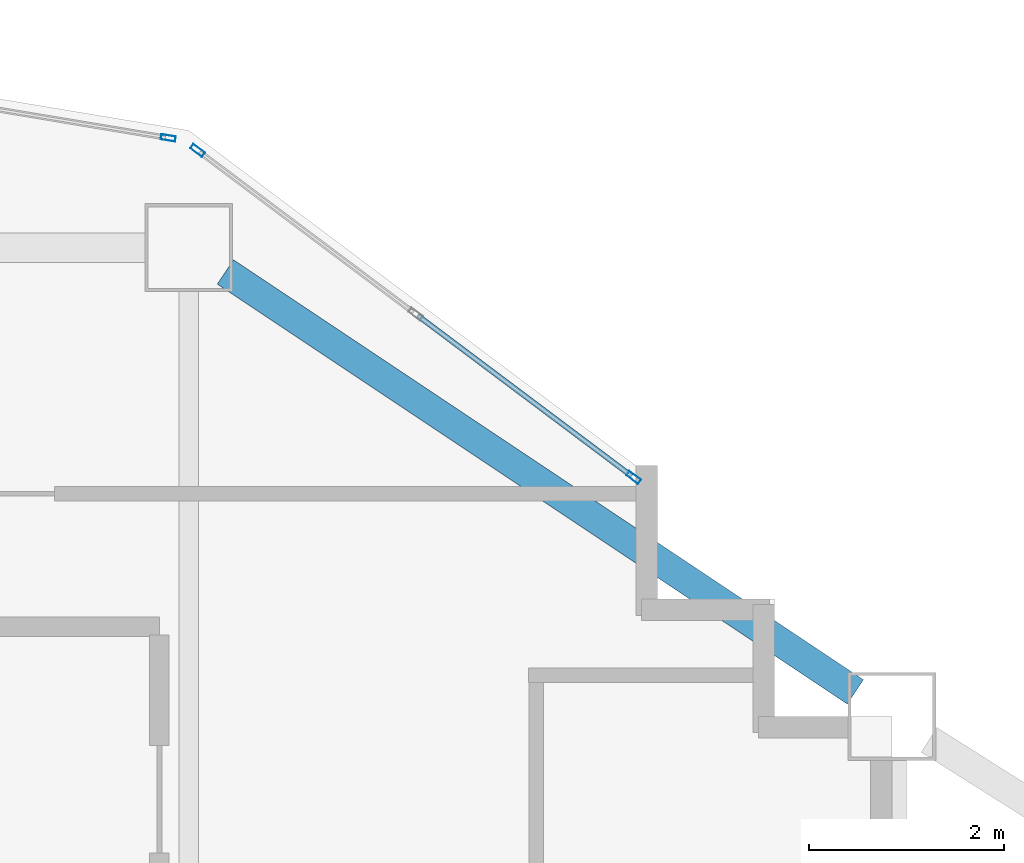
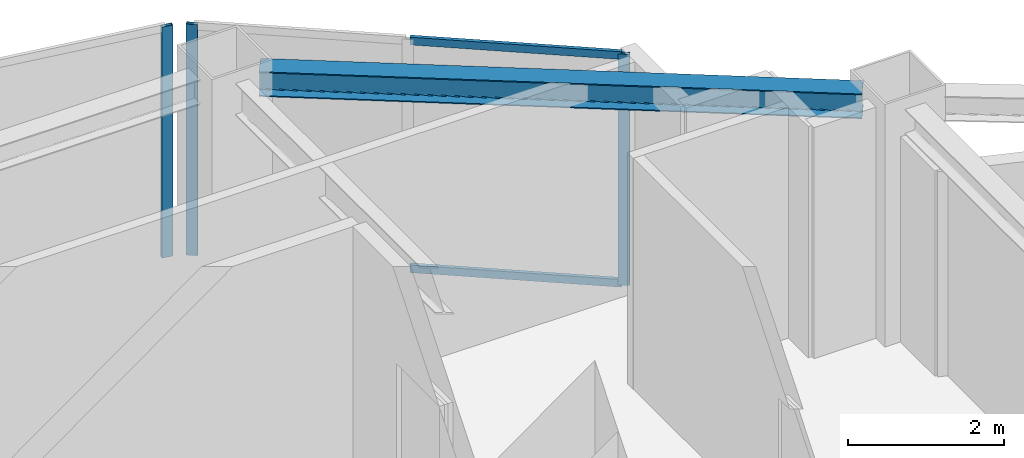
# One storey, part 3 of 10: 5 members, 1 beam, 2 elements without a shape of their own.
"""IFC4 building model written with IfcOpenShell, lengths in metres."""

from ifc_helpers import new_model, si_unit, direction, frame, origin, origin_2d, place, context, subcontext, project, spatial, hollow_rectangle, i_section, extrude, material, layer, layer_set, material_profile, profile_set, type_object, element, aggregate, save


model = new_model("IFC4")

# Units and contexts
model_context = context("Model", 3, precision=1e-05, world=origin(), true_north=direction((0.0, 1.0)))
body_context = subcontext(model_context, "Body", "Model", "MODEL_VIEW")
ifc_project = project(units=[si_unit("LENGTHUNIT", "METRE"), si_unit("AREAUNIT", "SQUARE_METRE"), si_unit("VOLUMEUNIT", "CUBIC_METRE"), si_unit("PLANEANGLEUNIT", "RADIAN"), si_unit("MASSUNIT", "GRAM", prefix="KILO")], contexts=[model_context])

# Site, building, storey
site_placement = place(None, origin())
site = spatial("IfcSite", under=ifc_project, at=site_placement, CompositionType="ELEMENT")
building_placement = place(site_placement, origin())
building = spatial("IfcBuilding", under=site, at=building_placement, Name="Haolan Belvedere Tower", CompositionType="ELEMENT")
storey_placement = place(building_placement, frame((0.0, 0.0, 176.60009765625)))
storey = spatial("IfcBuildingStorey", under=building, at=storey_placement, Name="L44", CompositionType="ELEMENT", Elevation=176.60009765625)

# Beam
ifc_material_1 = material(Name="Steel Q355B", Category="steel")
ifc_material_profile_1 = material_profile(ifc_material_1, i_section(OverallWidth=0.300048828125, OverallDepth=0.389892578125, WebThickness=0.010009765625, FlangeThickness=0.01611328125, FilletRadius=0.02197265625, at=origin_2d()), Name="Steel Q355B")
ifc_profile_set_1 = profile_set([ifc_material_profile_1], Name="Steel Q355B")
beam_type = type_object("IfcBeamType", Name="BM-HM390x300x10x16", PredefinedType="SPANDREL", material=ifc_profile_set_1)
beam_placement = place(storey_placement, frame((45.974365234375, 50.150390625, 3.4248046875), z_axis=(0.832050294338, -0.554700196225, 0.0), x_axis=(0.554700196225, 0.832050294338, 0.0)))
element("IfcBeam", 1, at=beam_placement, inside=storey, type_object=beam_type, Name="L44 spandrel girder MC-T3-N2-MC-T3-NE", PredefinedType="SPANDREL", context=body_context, shape_type="SweptSolid", body=[
    extrude(i_section(OverallWidth=0.300048828125, OverallDepth=0.389892578125, WebThickness=0.010009765625, FlangeThickness=0.01611328125, FilletRadius=0.02197265625, at=origin_2d()), origin(), (0.0, 0.0, 1.0), 7.75341796875),
])

# Curtain wall, members
ifc_material_2 = material(Name="Anodised champagne-silver aluminium 6063-T6 and Low-E glass", Category="aluminium")
ifc_layer = layer(ifc_material_2, 0.14990234375, Name="Anodised champagne-silver aluminium 6063-T6 and Low-E glass")
ifc_layer_set = layer_set([ifc_layer], Name="Anodised champagne-silver aluminium 6063-T6 and Low-E glass")
curtain_wall_type = type_object("IfcCurtainWallType", Name="CW-SYS-04", PredefinedType="NOTDEFINED", material=ifc_layer_set)
curtain_wall_1_placement = place(storey_placement, origin())
curtain_wall_1 = element("IfcCurtainWall", 2, at=curtain_wall_1_placement, inside=storey, type_object=curtain_wall_type, Name="L44 CW-SYS-04 ribbon curtain wall 20.1", PredefinedType="NOTDEFINED")
ifc_material_3 = material(Name="Anodised aluminium 6063-T6", Category="aluminium")
ifc_material_profile_2 = material_profile(ifc_material_3, hollow_rectangle(XDim=0.055908203125, YDim=0.14990234375, WallThickness=0.00390625, at=origin_2d()), Name="Anodised aluminium 6063-T6")
ifc_profile_set_2 = profile_set([ifc_material_profile_2], Name="Anodised aluminium 6063-T6")
member_type_1 = type_object("IfcMemberType", Name="CW-SYS-04-MUL", PredefinedType="MULLION", material=ifc_profile_set_2)
member_1_placement = place(storey_placement, frame((50.155517578125, 48.0458984375, 0.0), z_axis=(0.0, 0.0, 1.0), x_axis=(-0.600002837806, -0.799997871638, 0.0)))
member_1 = element("IfcMember", 3, at=member_1_placement, type_object=member_type_1, Name="CW-04 mullion 1", PredefinedType="MULLION", context=body_context, shape_type="SweptSolid", body=[
    extrude(hollow_rectangle(XDim=0.055908203125, YDim=0.14990234375, WallThickness=0.00390625, at=origin_2d()), origin(), (0.0, 0.0, 1.0), 3.619873046875),
])
member_2_placement = place(storey_placement, frame((45.68994140625, 51.39501953125, 0.0), z_axis=(0.0, 0.0, 1.0), x_axis=(-0.600002837806, -0.799997871638, 0.0)))
member_2 = element("IfcMember", 4, at=member_2_placement, type_object=member_type_1, Name="CW-04 mullion 3", PredefinedType="MULLION", context=body_context, shape_type="SweptSolid", body=[
    extrude(hollow_rectangle(XDim=0.055908203125, YDim=0.14990234375, WallThickness=0.00390625, at=origin_2d()), origin(), (0.0, 0.0, 1.0), 3.619873046875),
])

# Curtain wall, member
curtain_wall_2_placement = place(storey_placement, origin())
curtain_wall_2 = element("IfcCurtainWall", 5, at=curtain_wall_2_placement, inside=storey, type_object=curtain_wall_type, Name="L44 CW-SYS-04 ribbon curtain wall 21.1", PredefinedType="NOTDEFINED")
member_3_placement = place(storey_placement, frame((45.389892578125, 51.5234375, 0.0), z_axis=(0.0, 0.0, 1.0), x_axis=(-0.164405962825, -0.98639276122, 0.0)))
member_3 = element("IfcMember", 6, at=member_3_placement, type_object=member_type_1, Name="CW-04 mullion 1", PredefinedType="MULLION", context=body_context, shape_type="SweptSolid", body=[
    extrude(hollow_rectangle(XDim=0.055908203125, YDim=0.14990234375, WallThickness=0.00390625, at=origin_2d()), origin(), (0.0, 0.0, 1.0), 3.619873046875),
])
aggregate(curtain_wall_2, [member_3])

# Member
ifc_material_profile_3 = material_profile(ifc_material_3, hollow_rectangle(XDim=0.052001953125, YDim=0.1201171875, WallThickness=0.00390625, at=origin_2d()), Name="Anodised aluminium 6063-T6")
ifc_profile_set_3 = profile_set([ifc_material_profile_3], Name="Anodised aluminium 6063-T6")
member_type_2 = type_object("IfcMemberType", Name="CW-SYS-04-TRN", PredefinedType="USERDEFINED", material=ifc_profile_set_3)
member_4_placement = place(storey_placement, frame((50.13330078125, 48.0625, 0.02587890625), z_axis=(-0.800010710715, 0.59998571878, 0.0), x_axis=(-0.59998571878, -0.800010710715, 0.0)))
member_4 = element("IfcMember", 7, at=member_4_placement, type_object=member_type_2, Name="CW-04 transom 1.1", ObjectType="TRANSOM", PredefinedType="USERDEFINED", context=body_context, shape_type="SweptSolid", body=[
    extrude(hollow_rectangle(XDim=0.052001953125, YDim=0.1201171875, WallThickness=0.00390625, at=origin_2d()), origin(), (0.0, 0.0, 1.0), 2.7353515625),
])

member_5_placement = place(storey_placement, frame((50.13330078125, 48.0625, 3.593994140625), z_axis=(-0.800010710715, 0.59998571878, 0.0), x_axis=(-0.59998571878, -0.800010710715, 0.0)))
member_5 = element("IfcMember", 8, at=member_5_placement, type_object=member_type_2, Name="CW-04 transom 1.2", ObjectType="TRANSOM", PredefinedType="USERDEFINED", context=body_context, shape_type="SweptSolid", body=[
    extrude(hollow_rectangle(XDim=0.052001953125, YDim=0.1201171875, WallThickness=0.00390625, at=origin_2d()), origin(), (0.0, 0.0, 1.0), 2.7353515625),
])

aggregate(curtain_wall_1, [member_1, member_2, member_4, member_5])

save(model, "model.ifc")
